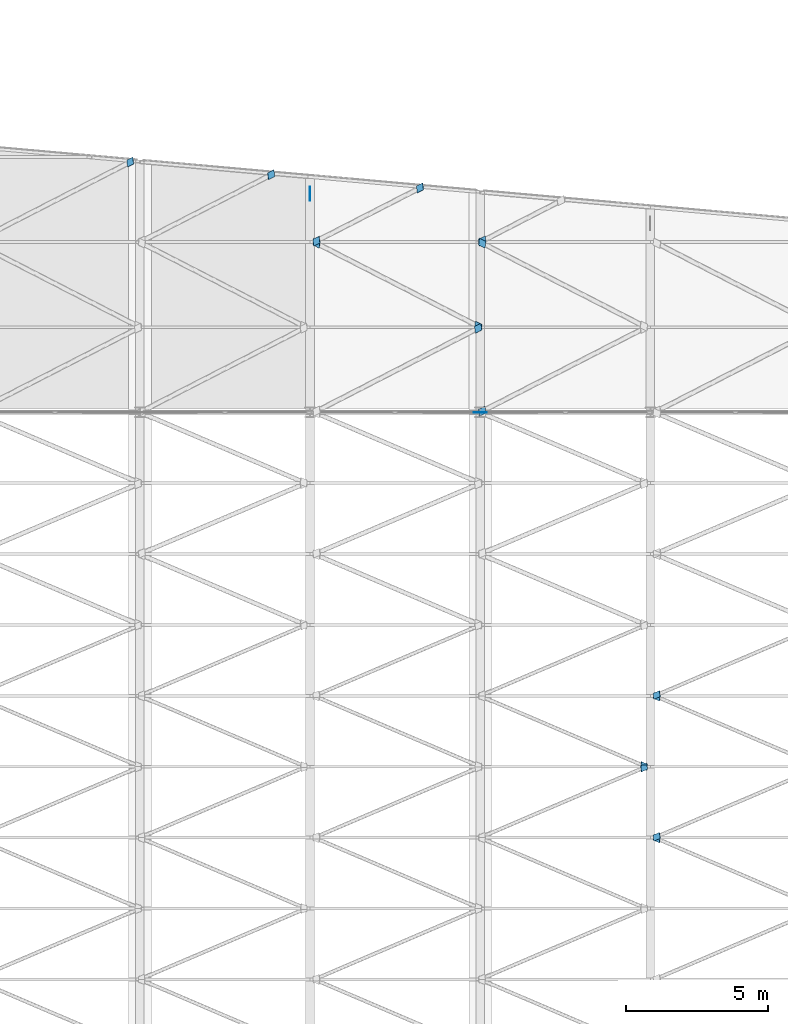
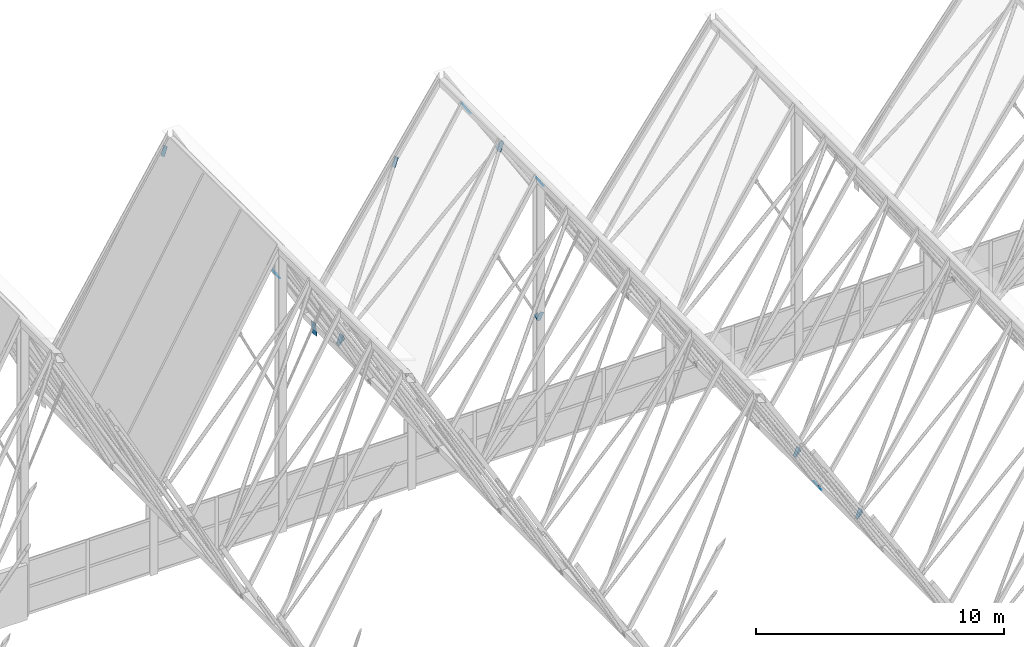
# One storey, part 424 of 483: 19 discrete accessories.
"""IFC4 building model written with IfcOpenShell, lengths in metres."""

from ifc_helpers import new_model, si_unit, direction, frame, origin, place, context, subcontext, project, spatial, polyline, outline, extrude, material, layer, layer_set, type_object, element, save


model = new_model("IFC4")

# Units and contexts
model_context = context("Model", 3, precision=1e-05, world=origin(), true_north=direction((0.0, 1.0)))
body_context = subcontext(model_context, "Body", "Model", "MODEL_VIEW")
ifc_project = project(units=[si_unit("LENGTHUNIT", "METRE"), si_unit("AREAUNIT", "SQUARE_METRE"), si_unit("VOLUMEUNIT", "CUBIC_METRE"), si_unit("PLANEANGLEUNIT", "RADIAN"), si_unit("MASSUNIT", "GRAM", prefix="KILO")], contexts=[model_context])

# Site, building, storey
site_placement = place(None, origin())
site = spatial("IfcSite", under=ifc_project, at=site_placement, CompositionType="ELEMENT")
building_placement = place(site_placement, origin())
building = spatial("IfcBuilding", under=site, at=building_placement, Name="Parallax Yard Mobility Hub", CompositionType="ELEMENT")
storey_placement = place(building_placement, frame((0.0, 0.0, 13.199951171875)))
storey = spatial("IfcBuildingStorey", under=building, at=storey_placement, Name="L04", CompositionType="ELEMENT", Elevation=13.199951171875)

# Discrete accessories
ifc_material = material(Name="Steel ASTM A36", Category="steel")
ifc_layer = layer(ifc_material, 0.011962890625)
ifc_layer_set = layer_set([ifc_layer], Name="Gusset plate PL12")
discrete_accessory_type = type_object("IfcDiscreteAccessoryType", Name="Gusset plate PL12", PredefinedType="BRACKET", material=ifc_layer_set)
discrete_accessory_1_placement = place(storey_placement, frame((45.34716796875, 37.529541015625, 3.7099609375), z_axis=(-0.837151551627, 0.000426998738, 0.546970837688), x_axis=(-0.53248050313, 0.228017799443, -0.815151763124)))
element("IfcDiscreteAccessory", 1, at=discrete_accessory_1_placement, inside=storey, type_object=discrete_accessory_type, Name="Gusset plate PL12 at end 2 of Plate diagonal plate F7-F8 bay 12", PredefinedType="BRACKET", context=body_context, shape_type="SweptSolid", body=[
    extrude(outline(polyline([(0.0, 0.0), (0.4197174654260176, 0.0), (0.41974195939473513, 0.2196592115453762), (-4.451756936702661e-05, 0.21964319813459596), (0.0, 0.0)])), origin(), (0.0, 0.0, -1.0), 0.011962890625),
])
discrete_accessory_2_placement = place(storey_placement, frame((44.6875, 39.819091796875, 3.676025390625), z_axis=(0.854018875597, 0.000557720542, 0.520241721771), x_axis=(0.507754756906, 0.21688936589, -0.833753026863)))
element("IfcDiscreteAccessory", 2, at=discrete_accessory_2_placement, inside=storey, type_object=discrete_accessory_type, Name="Gusset plate PL12 at end 2 of Plate diagonal plate F6-F7 bay 13", PredefinedType="BRACKET", context=body_context, shape_type="SweptSolid", body=[
    extrude(outline(polyline([(0.0, 0.0), (0.41986608319760876, -1.3877787807814457e-17), (0.41971987288542956, 0.219614849759619), (5.7342672894721e-05, 0.21956969731158954), (0.0, 0.0)])), origin(), (0.0, 0.0, -1.0), 0.011962890625),
])
discrete_accessory_3_placement = place(storey_placement, frame((45.319580078125, 37.684326171875, 3.668212890625), z_axis=(-0.837151551627, -0.000426998738, 0.546970837688), x_axis=(-0.532485273624, -0.227980657615, -0.815159035481)))
element("IfcDiscreteAccessory", 3, at=discrete_accessory_3_placement, inside=storey, type_object=discrete_accessory_type, Name="Gusset plate PL12 at end 1 of Plate diagonal plate F7-F8 bay 13", PredefinedType="BRACKET", context=body_context, shape_type="SweptSolid", body=[
    extrude(outline(polyline([(0.0, 0.0), (0.41978647726953044, -1.3877787807814457e-17), (0.4197536040571519, 0.21965921045119582), (3.6138936512303266e-05, 0.21964319967298013), (0.0, 0.0)])), origin(), (0.0, 0.0, -1.0), 0.011962890625),
])
discrete_accessory_4_placement = place(storey_placement, frame((44.66259765625, 39.966552734375, 3.716552734375), z_axis=(0.854018875597, -0.000557720542, 0.520241721771), x_axis=(0.507742563773, -0.21699439579, -0.833733123445)))
element("IfcDiscreteAccessory", 4, at=discrete_accessory_4_placement, inside=storey, type_object=discrete_accessory_type, Name="Gusset plate PL12 at end 1 of Plate diagonal plate F6-F7 bay 14", PredefinedType="BRACKET", context=body_context, shape_type="SweptSolid", body=[
    extrude(outline(polyline([(0.0, 0.0), (0.41966253264156217, 0.0), (0.41978511409084773, 0.219614864219578), (-8.096667655547313e-05, 0.21956968987108047), (0.0, 0.0)])), origin(), (0.0, 0.0, -1.0), 0.011962890625),
])
discrete_accessory_5_placement = place(storey_placement, frame((45.34716796875, 42.529541015625, 3.7099609375), z_axis=(-0.837151551627, 0.000426998738, 0.546970837688), x_axis=(-0.53248050313, 0.228017799443, -0.815151763124)))
element("IfcDiscreteAccessory", 5, at=discrete_accessory_5_placement, inside=storey, type_object=discrete_accessory_type, Name="Gusset plate PL12 at end 2 of Plate diagonal plate F7-F8 bay 14", PredefinedType="BRACKET", context=body_context, shape_type="SweptSolid", body=[
    extrude(outline(polyline([(0.0, 0.0), (0.4197174654260176, 0.0), (0.41974195939473513, 0.2196592115453762), (-4.451756936702661e-05, 0.21964319813459596), (0.0, 0.0)])), origin(), (0.0, 0.0, -1.0), 0.011962890625),
])
discrete_accessory_6_placement = place(storey_placement, frame((45.319580078125, 42.684326171875, 3.668212890625), z_axis=(-0.837151551627, -0.000426998738, 0.546970837688), x_axis=(-0.532485273624, -0.227980657615, -0.815159035481)))
element("IfcDiscreteAccessory", 6, at=discrete_accessory_6_placement, inside=storey, type_object=discrete_accessory_type, Name="Gusset plate PL12 at end 1 of Plate diagonal plate F7-F8 bay 15", PredefinedType="BRACKET", context=body_context, shape_type="SweptSolid", body=[
    extrude(outline(polyline([(0.0, 0.0), (0.41978647726953044, -1.3877787807814457e-17), (0.4197536040571519, 0.21965921045119582), (3.6138936512303266e-05, 0.21964319967298013), (0.0, 0.0)])), origin(), (0.0, 0.0, -1.0), 0.011962890625),
])
for number, where, z_axis, x_axis, name in (
    (7, (38.83154296875, 55.28515625, 12.738525390625), (-0.854081500866, 9.7735947e-05, 0.520139193222), (0.502603282278, 0.257625785536, 0.825238689877), "Gusset plate PL12 at end 2 of Plate diagonal plate F5-F6 bay 19"),
    (8, (39.16845703125, 52.71484375, 12.738525390625), (0.854081500866, -9.7735947e-05, 0.520139193222), (-0.502603282278, -0.257625785536, 0.825238689877), "Gusset plate PL12 at end 1 of Plate diagonal plate F6-F7 bay 19"),
):
    element("IfcDiscreteAccessory", number, at=place(storey_placement, frame(where, z_axis=z_axis, x_axis=x_axis)), inside=storey, type_object=discrete_accessory_type, Name=name, PredefinedType="BRACKET", context=body_context, shape_type="SweptSolid", body=[
        extrude(outline(polyline([(0.0, 0.0), (0.44824131866825545, 0.0), (0.4484522251501505, 0.24831792317647514), (-5.346472792262108e-05, 0.2481357546646104), (0.0, 0.0)])), origin(), (0.0, 0.0, -1.0), 0.011962890625),
    ])
discrete_accessory_7_placement = place(storey_placement, frame((38.79833984375, 55.47509765625, 12.683837890625), z_axis=(-0.854081500866, -9.7735947e-05, 0.520139193222), x_axis=(0.502548846602, -0.25801822164, 0.825149231401)))
element("IfcDiscreteAccessory", 9, at=discrete_accessory_7_placement, inside=storey, type_object=discrete_accessory_type, Name="Gusset plate PL12 at end 1 of Plate diagonal plate F5-F6 bay 20", PredefinedType="BRACKET", context=body_context, shape_type="SweptSolid", body=[
    extrude(outline(polyline([(0.0, 0.0), (0.4485057268735517, 0.0), (0.4481939617046402, 0.2483178170303157), (-4.731998994649683e-05, 0.24813575591250728), (0.0, 0.0)])), origin(), (0.0, 0.0, -1.0), 0.011962890625),
])
discrete_accessory_8_placement = place(storey_placement, frame((33.35400390625, 58.52490234375, 3.744384765625), z_axis=(-0.854141993401, 0.000367941649, 0.520039728989), x_axis=(-0.502340307164, 0.258088945379, -0.8252540894)))
element("IfcDiscreteAccessory", 10, at=discrete_accessory_8_placement, inside=storey, type_object=discrete_accessory_type, Name="Gusset plate PL12 at end 2 of Plate diagonal plate F5-F6 bay 20", PredefinedType="BRACKET", context=body_context, shape_type="SweptSolid", body=[
    extrude(outline(polyline([(0.0, 0.0), (0.44838308663216686, -1.3877787807814457e-17), (0.448175774793917, 0.24835064012616143), (-6.546546920333657e-05, 0.24813570324472056), (0.0, 0.0)])), origin(), (0.0, 0.0, -1.0), 0.011962890625),
])
discrete_accessory_9_placement = place(storey_placement, frame((39.20166015625, 58.52490234375, 12.683837890625), z_axis=(0.854081500866, 9.7735947e-05, 0.520139193222), x_axis=(-0.502548846602, 0.25801822164, 0.825149231401)))
element("IfcDiscreteAccessory", 11, at=discrete_accessory_9_placement, inside=storey, type_object=discrete_accessory_type, Name="Gusset plate PL12 at end 2 of Plate diagonal plate F6-F7 bay 20", PredefinedType="BRACKET", context=body_context, shape_type="SweptSolid", body=[
    extrude(outline(polyline([(0.0, 0.0), (0.4485057268735517, 0.0), (0.4481939617046402, 0.2483178170303157), (-4.731998994649683e-05, 0.24813575591250728), (0.0, 0.0)])), origin(), (0.0, 0.0, -1.0), 0.011962890625),
])
discrete_accessory_10_placement = place(storey_placement, frame((31.53662109375, 60.699462890625, 6.046142578125), z_axis=(0.860188463724, -0.005066173884, 0.509951116048), x_axis=(0.494441766307, 0.253210816446, -0.831511648845)))
element("IfcDiscreteAccessory", 12, at=discrete_accessory_10_placement, inside=storey, type_object=discrete_accessory_type, Name="Gusset plate PL12 at end 2 of Plate diagonal plate F4-F5 bay 21", PredefinedType="BRACKET", context=body_context, shape_type="SweptSolid", body=[
    extrude(outline(polyline([(0.0, 0.0), (0.4483433694437036, 0.0), (0.4483694265043678, 0.24832366021888147), (2.6057060664171072e-05, 0.24832366021888144), (0.0, 0.0)])), origin(), (0.0, 0.0, -1.0), 0.011962890625),
])
discrete_accessory_11_placement = place(storey_placement, frame((33.31494140625, 58.7119140625, 3.695556640625), z_axis=(-0.864806573992, -0.005793882663, 0.502071728444), x_axis=(-0.485047116878, -0.248783986996, -0.838353041518)))
element("IfcDiscreteAccessory", 13, at=discrete_accessory_11_placement, inside=storey, type_object=discrete_accessory_type, Name="Gusset plate PL12 at end 1 of Plate diagonal plate F5-F6 bay 21", PredefinedType="BRACKET", context=body_context, shape_type="SweptSolid", body=[
    extrude(outline(polyline([(0.0, 0.0), (0.4484704460774911, 0.0), (0.44845622508021743, 0.24829293568721128), (-1.42209972736132e-05, 0.24829293568721128), (0.0, 0.0)])), origin(), (0.0, 0.0, -1.0), 0.011962890625),
])
discrete_accessory_12_placement = place(storey_placement, frame((36.781005859375, 60.233154296875, 9.685791015625), z_axis=(-0.864843294346, -0.005372640656, 0.502013158151), x_axis=(0.485064898737, 0.248896311205, 0.83830941202)))
element("IfcDiscreteAccessory", 14, at=discrete_accessory_12_placement, inside=storey, type_object=discrete_accessory_type, Name="Gusset plate PL12 at end 2 of Plate diagonal plate F5-F6 bay 21", PredefinedType="BRACKET", context=body_context, shape_type="SweptSolid", body=[
    extrude(outline(polyline([(0.0, 0.0), (0.4482657773668412, 0.0), (0.44828029565485494, 0.2482929132259874), (0.0001329423355569681, 0.24826130845097052), (0.0, 0.0)])), origin(), (0.0, 0.0, -1.0), 0.011962890625),
])
discrete_accessory_13_placement = place(storey_placement, frame((39.176513671875, 58.718994140625, 12.7470703125), z_axis=(0.838284024432, -0.008139389825, 0.545173041076), x_axis=(-0.526747642443, -0.270247934152, 0.805917474229)))
element("IfcDiscreteAccessory", 15, at=discrete_accessory_13_placement, inside=storey, type_object=discrete_accessory_type, Name="Gusset plate PL12 at end 1 of Plate diagonal plate F6-F7 bay 21", PredefinedType="BRACKET", context=body_context, shape_type="SweptSolid", body=[
    extrude(outline(polyline([(0.0, 0.0), (0.4480859106362692, -1.3877787807814457e-17), (0.4482478065580068, 0.24821376274168505), (-3.486127411905099e-05, 0.24827011819340286), (0.0, 0.0)])), origin(), (0.0, 0.0, -1.0), 0.011962890625),
])
discrete_accessory_14_placement = place(storey_placement, frame((26.564697265625, 61.148681640625, 13.243896484375), z_axis=(-0.875609595104, -0.003154007487, 0.483009201982), x_axis=(0.468207333411, 0.240198682254, 0.850344921772)))
element("IfcDiscreteAccessory", 16, at=discrete_accessory_14_placement, inside=storey, type_object=discrete_accessory_type, Name="Gusset plate PL12 at end 2 of Plate diagonal plate F3-F4 bay 21", PredefinedType="BRACKET", context=body_context, shape_type="SweptSolid", body=[
    extrude(outline(polyline([(0.0, 0.0), (0.44823592492522596, 0.0), (0.44827251882813424, 0.24822676566281474), (0.00015090233391676366, 0.24819778612959142), (0.0, 0.0)])), origin(), (0.0, 0.0, -1.0), 0.011962890625),
])
discrete_accessory_15_placement = place(storey_placement, frame((38.941650390625, 52.5, 6.52392578125), z_axis=(0.0, 1.0, 0.0), x_axis=(0.460046045326, 0.0, -0.887895059216)))
element("IfcDiscreteAccessory", 17, at=discrete_accessory_15_placement, inside=storey, type_object=discrete_accessory_type, Name="Gusset plate PL12 at end 1 of Gable knee brace F6 north west", PredefinedType="BRACKET", context=body_context, shape_type="SweptSolid", body=[
    extrude(outline(polyline([(0.0, 0.0), (0.39430071450018045, 0.0), (0.39423163188972443, 0.19436490709348586), (4.323331857861157e-05, 0.19414813583879448), (0.0, 0.0)])), origin(), (0.0, 0.0, -1.0), 0.011962890625),
])
discrete_accessory_16_placement = place(storey_placement, frame((39.230712890625, 52.5, 6.4345703125), z_axis=(0.0, 1.0, 0.0), x_axis=(-0.459557706456, 0.0, -0.888147912477)))
element("IfcDiscreteAccessory", 18, at=discrete_accessory_16_placement, inside=storey, type_object=discrete_accessory_type, Name="Gusset plate PL12 at end 1 of Gable knee brace F6 north east", PredefinedType="BRACKET", context=body_context, shape_type="SweptSolid", body=[
    extrude(outline(polyline([(0.0, 0.0), (0.3941884581743374, 0.0), (0.39415065604978294, 0.19436491569433473), (-0.00014999883023220084, 0.1941480827078902), (0.0, 0.0)])), origin(), (0.0, 0.0, -1.0), 0.011962890625),
])
discrete_accessory_17_placement = place(storey_placement, frame((33.0, 60.342041015625, 2.816650390625), z_axis=(1.0, 0.0, 0.0), x_axis=(0.0, 0.205021304497, 0.978757510675)))
element("IfcDiscreteAccessory", 19, at=discrete_accessory_17_placement, inside=storey, type_object=discrete_accessory_type, Name="Gusset plate PL12 at end 2 of Prow strut F5", PredefinedType="BRACKET", context=body_context, shape_type="SweptSolid", body=[
    extrude(outline(polyline([(0.0, 0.0), (0.5846858070141062, 1.3877787807814457e-17), (0.5846347335543536, 0.3848741992977932), (-5.107345975263744e-05, 0.38487419929779326), (0.0, 0.0)])), origin(), (0.0, 0.0, -1.0), 0.011962890625),
])

save(model, "model.ifc")
